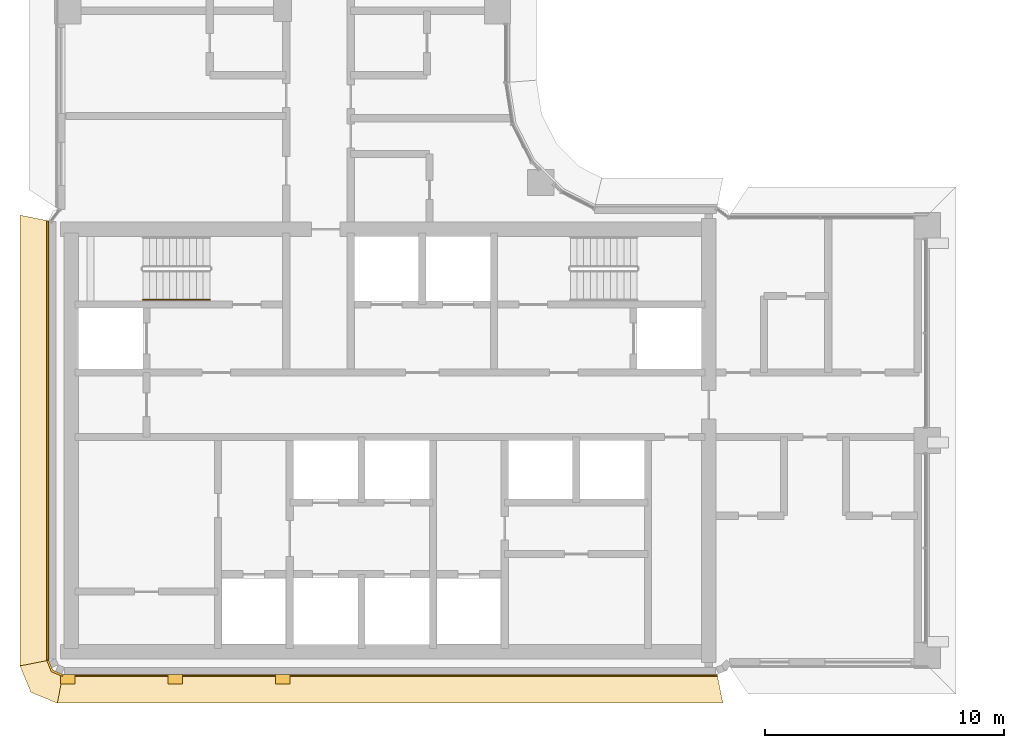
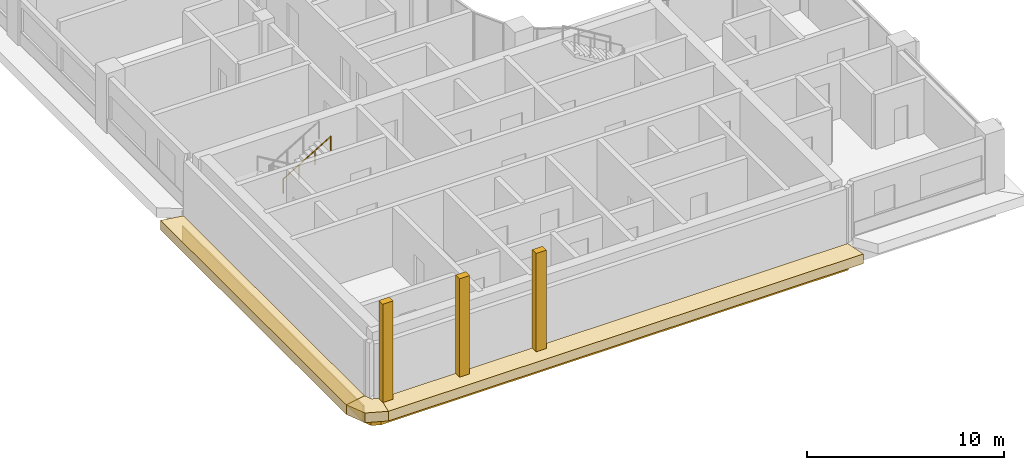
# One storey, part 17 of 24: 9 coverings, 1 railing.
"""IFC4 building model written with IfcOpenShell, lengths in metres."""

from ifc_helpers import new_model, si_unit, direction, frame, origin, origin_2d, place, context, subcontext, project, spatial, polyline, rectangle, circle, outline, extrude, material, layer, layer_set, type_object, element, save


model = new_model("IFC4")

# Units and contexts
model_context = context("Model", 3, precision=1e-05, world=origin(), true_north=direction((0.0, 1.0)))
body_context = subcontext(model_context, "Body", "Model", "MODEL_VIEW")
ifc_project = project(units=[si_unit("LENGTHUNIT", "METRE"), si_unit("AREAUNIT", "SQUARE_METRE"), si_unit("VOLUMEUNIT", "CUBIC_METRE"), si_unit("PLANEANGLEUNIT", "RADIAN"), si_unit("MASSUNIT", "GRAM", prefix="KILO")], contexts=[model_context])

# Site, building, storey
site_placement = place(None, origin())
site = spatial("IfcSite", under=ifc_project, at=site_placement, CompositionType="ELEMENT")
building_placement = place(site_placement, origin())
building = spatial("IfcBuilding", under=site, at=building_placement, Name="Ogive Portal Towers", CompositionType="ELEMENT")
storey_placement = place(building_placement, frame((0.0, 0.0, 153.300048828125)))
storey = spatial("IfcBuildingStorey", under=building, at=storey_placement, Name="L37", CompositionType="ELEMENT", Elevation=153.300048828125)

# Railing
ifc_material_1 = material(Name="Stainless steel handrail", Category="steel")
railing_type = type_object("IfcRailingType", Name="INT-HANDRAIL", PredefinedType="HANDRAIL", material=ifc_material_1)
railing_placement = place(storey_placement, frame((34.64990234375, 36.39990234375, 2.01806640625)))
element("IfcRailing", 1, at=railing_placement, inside=storey, type_object=railing_type, Name="L37 ST-A1 stair handrail 2", PredefinedType="HANDRAIL", context=body_context, shape_type="SweptSolid", body=[
    extrude(circle(Radius=0.02392578125, at=origin_2d()), frame((0.0, 0.0, 0.8759765625), z_axis=(0.857242210791, 0.0, 0.514913383045), x_axis=(0.0, 1.0, 0.0)), (0.0, 0.0, 1.0), 3.266357421875),
    extrude(circle(Radius=0.02099609375, at=origin_2d()), origin(), (0.0, 0.0, 1.0), 0.851806640625),
    extrude(circle(Radius=0.02099609375, at=origin_2d()), frame((0.933349609375, 0.0, 0.560546875)), (0.0, 0.0, 1.0), 0.851806640625),
    extrude(circle(Radius=0.02099609375, at=origin_2d()), frame((1.86669921875, 0.0, 1.121337890625)), (0.0, 0.0, 1.0), 0.851806640625),
    extrude(circle(Radius=0.02099609375, at=origin_2d()), frame((2.800048828125, 0.0, 1.681884765625)), (0.0, 0.0, 1.0), 0.851806640625),
])

# Coverings
ifc_material_2 = material(Name="Limestone cladding on lightweight block wall", Category="masonry")
ifc_layer_1 = layer(ifc_material_2, 0.39990234375)
ifc_layer_set_1 = layer_set([ifc_layer_1], Name="SPINE PIER STONE")
covering_type_1 = type_object("IfcCoveringType", Name="SPINE PIER STONE", PredefinedType="CLADDING", material=ifc_layer_set_1)
for number, where, z_axis, x_axis, name in (
    (2, (31.5, 20.5, 0.0), (0.0, 0.0, 1.0), (1.0, 0.0, 0.0), "SPINE PIER"),
    (3, (36.0, 20.5, 0.0), (0.0, 0.0, 1.0), (1.0, 0.0, 0.0), "SPINE PIER"),
    (4, (40.5, 20.5, 0.0), (0.0, 0.0, 1.0), (1.0, 0.0, 0.0), "SPINE PIER"),
):
    element("IfcCovering", number, at=place(storey_placement, frame(where, z_axis=z_axis, x_axis=x_axis)), inside=storey, type_object=covering_type_1, Name=name, PredefinedType="CLADDING", context=body_context, shape_type="SweptSolid", body=[
        extrude(rectangle(XDim=0.60009765625, YDim=0.39990234375, at=origin_2d()), origin(), (0.0, 0.0, 1.0), 6.10009765625),
    ])
ifc_layer_2 = layer(ifc_material_2, 0.080078125)
ifc_layer_set_2 = layer_set([ifc_layer_2], Name="STONE SPANDREL 80")
covering_type_2 = type_object("IfcCoveringType", Name="STONE SPANDREL 80", PredefinedType="CLADDING", material=ifc_layer_set_2)
covering_1_placement = place(storey_placement, frame((0.0, 0.0, -1.60009765625)))
element("IfcCovering", 5, at=covering_1_placement, inside=storey, type_object=covering_type_2, Name="Stone spandrel A1-F08", PredefinedType="CLADDING", context=body_context, shape_type="SweptSolid", body=[
    extrude(outline(polyline([(30.699951171875, 39.699951171875), (30.699951171875, 21.300048828125), (30.6201171875, 21.2841796875), (30.6201171875, 39.7158203125), (30.699951171875, 39.699951171875)])), origin(), (0.0, 0.0, 1.0), 1.0),
])
covering_2_placement = place(storey_placement, frame((0.0, 0.0, -1.60009765625)))
element("IfcCovering", 6, at=covering_2_placement, inside=storey, type_object=covering_type_2, Name="Stone spandrel A1-F09", PredefinedType="CLADDING", context=body_context, shape_type="SweptSolid", body=[
    extrude(outline(polyline([(30.699951171875, 21.300048828125), (30.875732421875, 20.875732421875), (31.300048828125, 20.699951171875), (31.2841796875, 20.6201171875), (30.814453125, 20.814453125), (30.6201171875, 21.2841796875), (30.699951171875, 21.300048828125)])), origin(), (0.0, 0.0, 1.0), 1.0),
])
covering_3_placement = place(storey_placement, frame((0.0, 0.0, -1.60009765625)))
element("IfcCovering", 7, at=covering_3_placement, inside=storey, type_object=covering_type_2, Name="Stone spandrel A1-F10", PredefinedType="CLADDING", context=body_context, shape_type="SweptSolid", body=[
    extrude(outline(polyline([(31.300048828125, 20.699951171875), (58.699951171875, 20.699951171875), (58.7158203125, 20.6201171875), (31.2841796875, 20.6201171875), (31.300048828125, 20.699951171875)])), origin(), (0.0, 0.0, 1.0), 1.0),
])
ifc_layer_3 = layer(ifc_material_2, 0.60009765625)
ifc_layer_set_3 = layer_set([ifc_layer_3], Name="SUNSHADE LIP 600")
covering_type_3 = type_object("IfcCoveringType", Name="SUNSHADE LIP 600", PredefinedType="CLADDING", material=ifc_layer_set_3)
covering_4_placement = place(storey_placement, frame((0.0, 0.0, -0.60009765625)))
element("IfcCovering", 8, at=covering_4_placement, inside=storey, type_object=covering_type_3, Name="Sunshade lip A1-F08", PredefinedType="CLADDING", context=body_context, shape_type="SweptSolid", body=[
    extrude(outline(polyline([(30.699951171875, 39.699951171875), (30.699951171875, 21.300048828125), (29.5, 21.061279296875), (29.5, 39.938720703125), (30.699951171875, 39.699951171875)])), origin(), (0.0, 0.0, 1.0), 0.60009765625),
])
covering_5_placement = place(storey_placement, frame((0.0, 0.0, -0.60009765625)))
element("IfcCovering", 9, at=covering_5_placement, inside=storey, type_object=covering_type_3, Name="Sunshade lip A1-F09", PredefinedType="CLADDING", context=body_context, shape_type="SweptSolid", body=[
    extrude(outline(polyline([(30.699951171875, 21.300048828125), (30.875732421875, 20.875732421875), (31.300048828125, 20.699951171875), (31.061279296875, 19.5), (29.957275390625, 19.957275390625), (29.5, 21.061279296875), (30.699951171875, 21.300048828125)])), origin(), (0.0, 0.0, 1.0), 0.60009765625),
])
covering_6_placement = place(storey_placement, frame((0.0, 0.0, -0.60009765625)))
element("IfcCovering", 10, at=covering_6_placement, inside=storey, type_object=covering_type_3, Name="Sunshade lip A1-F10", PredefinedType="CLADDING", context=body_context, shape_type="SweptSolid", body=[
    extrude(outline(polyline([(31.300048828125, 20.699951171875), (58.699951171875, 20.699951171875), (58.938720703125, 19.5), (31.061279296875, 19.5), (31.300048828125, 20.699951171875)])), origin(), (0.0, 0.0, 1.0), 0.60009765625),
])

save(model, "model.ifc")
